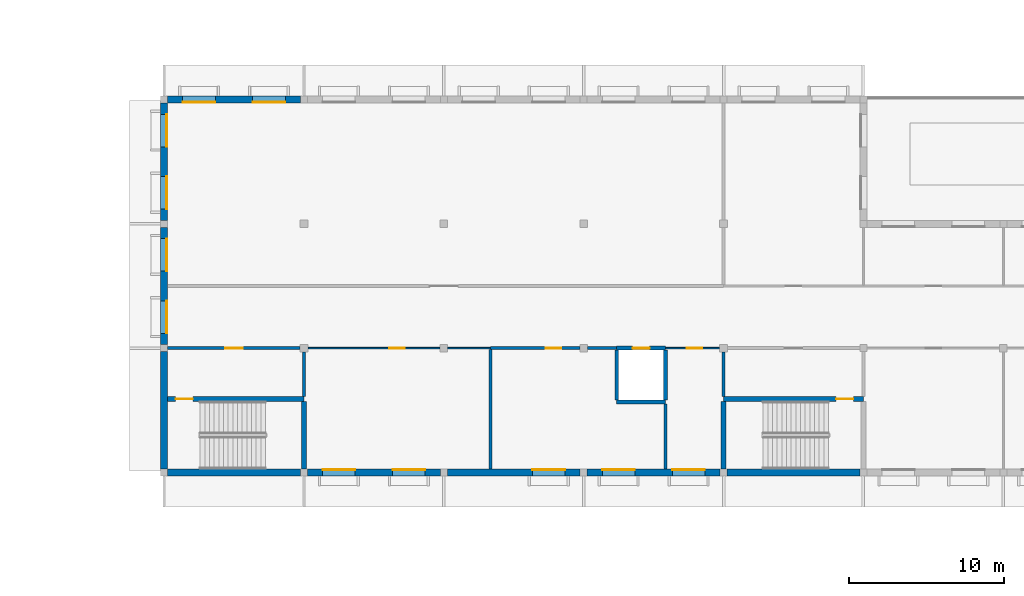
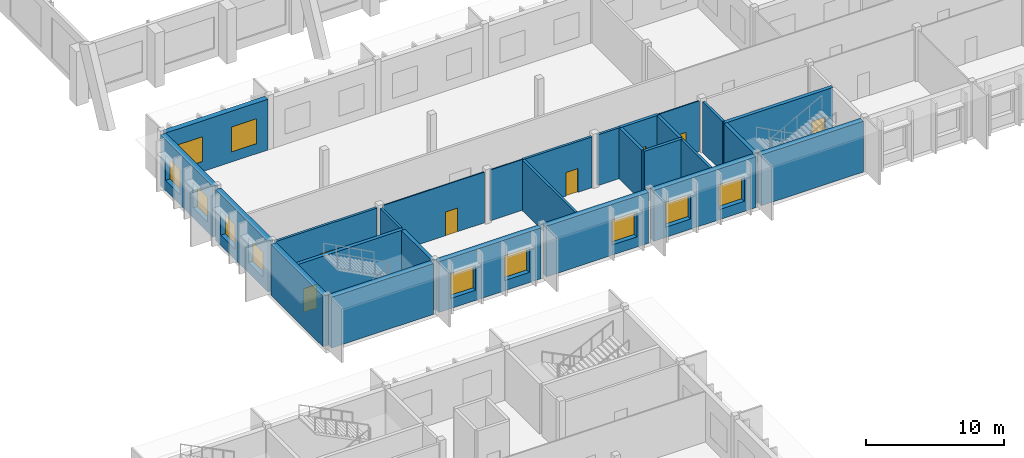
# One storey, part 126 of 182: 27 walls, 11 windows, 7 doors, 18 openings.
"""IFC4 building model written with IfcOpenShell, lengths in metres."""

import ifcopenshell
import ifcopenshell.guid

model = None  # the IFC model being written
_history = None  # IfcOwnerHistory: only IFC2X3 demands one
_inside = {}  # id of a spatial element -> (the spatial element, [elements in it])
_under = {}  # id of a project, library or spatial element -> (it, [spatial elements below it])
_declared = {}  # id of a project -> (the project, [libraries it declares])
_typed = {}  # id of a type object -> (the type object, [elements of that type])
_made_of = {}  # id of a material, layer set ... -> (it, [elements and type objects made of it])


def new_model(schema):
    """Start an empty IFC model of exactly this schema.

    Asked for "IFC4X3", IfcOpenShell would pick the latest addendum, in which some entities
    have other attributes; the version numbers below select the first issue.
    IFC2X3 requires an IfcOwnerHistory on every rooted entity: one is made here for all.
    """
    global model, _history
    if schema == "IFC4X3":
        model = ifcopenshell.file(schema_version=(4, 3, 0, 0))
    else:
        model = ifcopenshell.file(schema=schema)
    _inside.clear()
    _under.clear()
    _declared.clear()
    _typed.clear()
    _made_of.clear()
    _history = None
    if model.schema == "IFC2X3":
        org = make("IfcOrganization", Name="unknown")
        user = make(
            "IfcPersonAndOrganization",
            ThePerson=make("IfcPerson", FamilyName="unknown"),
            TheOrganization=org,
        )
        app = make(
            "IfcApplication",
            ApplicationDeveloper=org,
            Version="unknown",
            ApplicationFullName="unknown",
            ApplicationIdentifier="unknown",
        )
        _history = make(
            "IfcOwnerHistory",
            OwningUser=user,
            OwningApplication=app,
            ChangeAction="ADDED",
            CreationDate=0,
        )
    return model


def make(cls, **values):
    """One entity of the class cls with the attributes given. An attribute that is None is left unset."""
    return model.create_entity(
        cls, **{name: value for name, value in values.items() if value is not None}
    )


def rooted(cls, **values):
    """An entity with a GlobalId (a new one), such as an element, a storey or a relation."""
    return make(cls, GlobalId=ifcopenshell.guid.new(), OwnerHistory=_history, **values)


def si_unit(unit_type, name, prefix=None):
    """IfcSIUnit, for example si_unit("LENGTHUNIT", "METRE", prefix="MILLI")."""
    return make("IfcSIUnit", UnitType=unit_type, Prefix=prefix, Name=name)


def assignment(units):
    """IfcUnitAssignment: the units of a project."""
    return None if units is None else make("IfcUnitAssignment", Units=units)


def point(xyz):
    """IfcCartesianPoint."""
    return None if xyz is None else make("IfcCartesianPoint", Coordinates=xyz)


def direction(xyz):
    """IfcDirection."""
    return None if xyz is None else make("IfcDirection", DirectionRatios=xyz)


def frame(location, z_axis=None, x_axis=None):
    """IfcAxis2Placement3D, a coordinate frame: its origin and axes. An axis left out is left unset."""
    return make(
        "IfcAxis2Placement3D",
        Location=point(location),
        Axis=direction(z_axis),
        RefDirection=direction(x_axis),
    )


def frame_2d(location, x_axis=None):
    """IfcAxis2Placement2D, a coordinate frame in the plane: its origin and x axis."""
    return make(
        "IfcAxis2Placement2D", Location=point(location), RefDirection=direction(x_axis)
    )


def origin():
    """The frame at (0, 0, 0) with its axes left unset."""
    return frame((0.0, 0.0, 0.0))


def place(relative_to, where):
    """IfcLocalPlacement: puts the frame where relative to a parent placement (None: the world)."""
    return make(
        "IfcLocalPlacement", PlacementRelTo=relative_to, RelativePlacement=where
    )


def context(
    kind, dimensions, precision=None, world=None, true_north=None, identifier=None
):
    """IfcGeometricRepresentationContext, for example the 3D "Model" context."""
    return make(
        "IfcGeometricRepresentationContext",
        ContextIdentifier=identifier,
        ContextType=kind,
        CoordinateSpaceDimension=dimensions,
        Precision=precision,
        WorldCoordinateSystem=world,
        TrueNorth=true_north,
    )


def subcontext(parent, identifier, kind, view, scale=None):
    """IfcGeometricRepresentationSubContext, for example "Body" below "Model"."""
    return make(
        "IfcGeometricRepresentationSubContext",
        ContextIdentifier=identifier,
        ContextType=kind,
        ParentContext=parent,
        TargetScale=scale,
        TargetView=view,
    )


def project(units=None, contexts=None):
    """IfcProject with its units and contexts."""
    return rooted(
        "IfcProject",
        Name="project",
        RepresentationContexts=contexts,
        UnitsInContext=assignment(units),
    )


def spatial(cls, under=None, at=None, **own):
    """A site, building, storey or space (cls), placed at a placement, below another one or the project."""
    s = rooted(cls, ObjectPlacement=at, **own)
    if under is not None:
        _under.setdefault(under.id(), (under, []))[1].append(s)
    return s


def profile(cls, at=None, kind="AREA", **sizes):
    """A parametric profile (cls). Its sizes go by their IFC names, for example OverallWidth=200.0."""
    return make(cls, ProfileType=kind, Position=at, **sizes)


def rectangle(**sizes):
    """IfcRectangleProfileDef."""
    return profile("IfcRectangleProfileDef", **sizes)


def extrude(swept, where, along, depth):
    """IfcExtrudedAreaSolid: the profile swept, set in the frame where, extruded along a direction by depth."""
    return make(
        "IfcExtrudedAreaSolid",
        SweptArea=swept,
        Position=where,
        ExtrudedDirection=direction(along),
        Depth=depth,
    )


def shape(context_of_items, identifier, shape_type, items):
    """IfcShapeRepresentation: the items that make up one representation, for example the "Body"."""
    return make(
        "IfcShapeRepresentation",
        ContextOfItems=context_of_items,
        RepresentationIdentifier=identifier,
        RepresentationType=shape_type,
        Items=items,
    )


def material(Name=None, Category=None):
    """IfcMaterial."""
    return make("IfcMaterial", Name=Name, Category=Category)


def layer(
    of_material, thickness, ventilated=None, Name=None, Category=None, Priority=None
):
    """IfcMaterialLayer: one layer of a wall or slab, of a material (None: an air gap)."""
    return make(
        "IfcMaterialLayer",
        Material=of_material,
        LayerThickness=thickness,
        IsVentilated=ventilated,
        Name=Name,
        Category=Category,
        Priority=Priority,
    )


def layer_set(layers, Name=None):
    """IfcMaterialLayerSet."""
    return make("IfcMaterialLayerSet", MaterialLayers=layers, LayerSetName=Name)


def made_of(thing, what):
    """Note that an element or type object is made of a material, layer set ...; save() writes the relation."""
    if what is not None:
        _made_of.setdefault(what.id(), (what, []))[1].append(thing)
    return thing


def type_object(cls, material=None, **own):
    """A type object (cls), such as IfcWallType, which elements share."""
    return made_of(rooted(cls, **own), material)


def element(
    cls,
    number,
    at=None,
    inside=None,
    cuts=None,
    type_object=None,
    material=None,
    context=None,
    identifier="Body",
    shape_type=None,
    held_by="IfcProductDefinitionShape",
    body=None,
    shapes=None,
    **own,
):
    """One element of the class cls, such as IfcWall. Its Tag is "e" and its number.

    at: its placement. inside: the storey or other place that contains it. cuts: it is an
    opening in that element (IfcRelVoidsElement). A single representation is given by context,
    identifier, shape_type and body (its items); several are given by shapes. held_by: the class
    of the entity that holds the representations. save() writes the other relations.
    """
    e = rooted(cls, Tag="e%d" % number, ObjectPlacement=at, **own)
    if body is not None:
        shapes = [shape(context, identifier, shape_type, body)]
    if shapes is not None:
        e.Representation = make(held_by, Representations=shapes)
    if inside is not None:
        _inside.setdefault(inside.id(), (inside, []))[1].append(e)
    if cuts is not None:
        rooted(
            "IfcRelVoidsElement", RelatingBuildingElement=cuts, RelatedOpeningElement=e
        )
    if type_object is not None:
        _typed.setdefault(type_object.id(), (type_object, []))[1].append(e)
    return made_of(e, material)


def fill(opening, filler):
    """IfcRelFillsElement: the door or window that sits in an opening."""
    return rooted(
        "IfcRelFillsElement",
        RelatingOpeningElement=opening,
        RelatedBuildingElement=filler,
    )


def aggregate(whole, parts):
    """IfcRelAggregates: a whole, such as a stair, and the parts it consists of."""
    return rooted("IfcRelAggregates", RelatingObject=whole, RelatedObjects=parts)


def save(model, path):
    """Write the relations noted so far, then the file.

    IfcRelAggregates (storeys below a building ...), IfcRelContainedInSpatialStructure (elements
    in a storey), IfcRelDefinesByType, IfcRelAssociatesMaterial and IfcRelDeclares: one each for
    every whole, place, type object, material and project.
    """
    for whole, parts in _under.values():
        aggregate(whole, parts)
    for where, things in _inside.values():
        rooted(
            "IfcRelContainedInSpatialStructure",
            RelatedElements=things,
            RelatingStructure=where,
        )
    for kind, things in _typed.values():
        rooted("IfcRelDefinesByType", RelatedObjects=things, RelatingType=kind)
    for what, things in _made_of.values():
        rooted("IfcRelAssociatesMaterial", RelatedObjects=things, RelatingMaterial=what)
    for by, libraries in _declared.values():
        rooted("IfcRelDeclares", RelatingContext=by, RelatedDefinitions=libraries)
    model.write(path)


model = new_model("IFC4")

# Units and contexts
model_context = context("Model", 3, precision=1e-05, world=origin(), true_north=direction((0.0, 1.0)))
body_context = subcontext(model_context, "Body", "Model", "MODEL_VIEW")
ifc_project = project(units=[si_unit("LENGTHUNIT", "METRE"), si_unit("AREAUNIT", "SQUARE_METRE"), si_unit("VOLUMEUNIT", "CUBIC_METRE"), si_unit("PLANEANGLEUNIT", "RADIAN"), si_unit("MASSUNIT", "GRAM", prefix="KILO")], contexts=[model_context])

# Site, building, storey
site_placement = place(None, origin())
site = spatial("IfcSite", under=ifc_project, at=site_placement, CompositionType="ELEMENT")
building_placement = place(site_placement, origin())
building = spatial("IfcBuilding", under=site, at=building_placement, Name="Okhra Congress Centre", CompositionType="ELEMENT")
storey_placement = place(building_placement, frame((0.0, 0.0, 7.199951171875)))
storey = spatial("IfcBuildingStorey", under=building, at=storey_placement, Name="L01", CompositionType="ELEMENT", Elevation=7.199951171875)

# Wall, opening, door
ifc_material_1 = material(Name="Masonry blockwork (aerated concrete D500)", Category="masonry")
ifc_layer_1 = layer(ifc_material_1, 0.199951171875)
ifc_layer_set_1 = layer_set([ifc_layer_1], Name="Masonry block wall 200 EI 45")
wall_type_1 = type_object("IfcWallType", Name="Masonry block wall 200 EI 45", PredefinedType="SOLIDWALL", material=ifc_layer_set_1)
wall_1_placement = place(storey_placement, frame((28.22509765625, 104.0, 0.0), z_axis=(0.0, 0.0, 1.0), x_axis=(1.0, 0.0, 0.0)))
wall_1 = element("IfcWall", 1, at=wall_1_placement, inside=storey, type_object=wall_type_1, Name="SV.WALL.L01.15", PredefinedType="SOLIDWALL", context=body_context, shape_type="SweptSolid", body=[
    extrude(rectangle(XDim=8.52490234375, YDim=0.199951171875, at=frame_2d((4.262451171875, 0.0))), origin(), (0.0, 0.0, 1.0), 4.5),
])
opening_1_placement = place(wall_1_placement, frame((3.72509765625, 0.0, 0.0)))
opening_1 = element("IfcOpeningElement", 2, at=opening_1_placement, cuts=wall_1, Name="Opening L01-032", PredefinedType="OPENING", context=body_context, shape_type="SweptSolid", body=[
    extrude(rectangle(XDim=1.10009765625, YDim=2.10009765625, at=frame_2d((0.550048828125, 1.050048828125))), frame((0.0, 0.10986328125, 0.0), z_axis=(0.0, -1.0, 0.0), x_axis=(1.0, 0.0, 0.0)), (0.0, 0.0, 1.0), 0.219970703125),
])
ifc_material_2 = material(Name="Steel fire door leaf in steel frame, intumescent seals", Category="steel")
door_type_1 = type_object("IfcDoorType", Name="Steel fire door 1100x2100 EI 30", OperationType="NOTDEFINED", PredefinedType="DOOR", material=ifc_material_2)
door_1_placement = place(opening_1_placement, frame((1.10009765625, 0.0, 0.0), z_axis=(0.0, 0.0, 1.0), x_axis=(-1.0, 0.0, 0.0)))
door_1 = element("IfcDoor", 3, at=door_1_placement, inside=storey, type_object=door_type_1, Name="Door L01-032", OperationType="SINGLE_SWING_RIGHT", OverallHeight=2.10009765625, OverallWidth=1.10009765625, PredefinedType="DOOR", context=body_context, shape_type="SweptSolid", body=[
    extrude(rectangle(XDim=1.10009765625, YDim=2.10009765625, at=frame_2d((0.550048828125, 1.050048828125))), frame((0.0, 0.02490234375, 0.0), z_axis=(0.0, -1.0, 0.0), x_axis=(1.0, 0.0, 0.0)), (0.0, 0.0, 1.0), 0.050048828125),
])
fill(opening_1, door_1)

wall_2_placement = place(storey_placement, frame((49.0, 104.0, 0.0), z_axis=(0.0, 0.0, 1.0), x_axis=(1.0, 0.0, 0.0)))
wall_2 = element("IfcWall", 4, at=wall_2_placement, inside=storey, type_object=wall_type_1, Name="SV.WALL.L01.18", PredefinedType="SOLIDWALL", context=body_context, shape_type="SweptSolid", body=[
    extrude(rectangle(XDim=5.75, YDim=0.199951171875, at=frame_2d((2.875, 0.0))), origin(), (0.0, 0.0, 1.0), 4.5),
])
opening_2_placement = place(wall_2_placement, frame((3.5625, 0.0, 0.0)))
opening_2 = element("IfcOpeningElement", 5, at=opening_2_placement, cuts=wall_2, Name="Opening L01-039", PredefinedType="OPENING", context=body_context, shape_type="SweptSolid", body=[
    extrude(rectangle(XDim=1.0, YDim=2.10009765625, at=frame_2d((0.5, 1.050048828125))), frame((0.0, 0.10986328125, 0.0), z_axis=(0.0, -1.0, 0.0), x_axis=(1.0, 0.0, 0.0)), (0.0, 0.0, 1.0), 0.219970703125),
])
door_type_2 = type_object("IfcDoorType", Name="Steel fire door 1000x2100 EI 30", OperationType="NOTDEFINED", PredefinedType="DOOR", material=ifc_material_2)
door_2_placement = place(opening_2_placement, origin())
door_2 = element("IfcDoor", 6, at=door_2_placement, inside=storey, type_object=door_type_2, Name="Door L01-039", OperationType="SINGLE_SWING_RIGHT", OverallHeight=2.10009765625, OverallWidth=1.0, PredefinedType="DOOR", context=body_context, shape_type="SweptSolid", body=[
    extrude(rectangle(XDim=1.0, YDim=2.10009765625, at=frame_2d((0.5, 1.050048828125))), frame((0.0, 0.02490234375, 0.0), z_axis=(0.0, -1.0, 0.0), x_axis=(1.0, 0.0, 0.0)), (0.0, 0.0, 1.0), 0.050048828125),
])
fill(opening_2, door_2)

# Walls
wall_3_placement = place(storey_placement, frame((55.25, 104.0, 0.0), z_axis=(0.0, 0.0, 1.0), x_axis=(1.0, 0.0, 0.0)))
element("IfcWall", 7, at=wall_3_placement, inside=storey, type_object=wall_type_1, Name="SV.WALL.L01.19", PredefinedType="SOLIDWALL", context=body_context, shape_type="SweptSolid", body=[
    extrude(rectangle(XDim=1.875, YDim=0.199951171875, at=frame_2d((0.9375, 0.0))), origin(), (0.0, 0.0, 1.0), 4.5),
])
wall_4_placement = place(storey_placement, frame((37.0, 100.875, 0.0), z_axis=(0.0, 0.0, 1.0), x_axis=(0.0, 1.0, 0.0)))
element("IfcWall", 8, at=wall_4_placement, inside=storey, type_object=wall_type_1, Name="SV.WALL.L01.44", PredefinedType="SOLIDWALL", context=body_context, shape_type="SweptSolid", body=[
    extrude(rectangle(XDim=2.875, YDim=0.199951171875, at=frame_2d((1.4375, 0.0))), origin(), (0.0, 0.0, 1.0), 4.5),
])
wall_5_placement = place(storey_placement, frame((49.0, 96.22509765625, 0.0), z_axis=(0.0, 0.0, 1.0), x_axis=(0.0, 1.0, 0.0)))
element("IfcWall", 9, at=wall_5_placement, inside=storey, type_object=wall_type_1, Name="SV.WALL.L01.45", PredefinedType="SOLIDWALL", context=body_context, shape_type="SweptSolid", body=[
    extrude(rectangle(XDim=7.6748046875, YDim=0.199951171875, at=frame_2d((3.83740234375, 0.0))), origin(), (0.0, 0.0, 1.0), 4.5),
])
wall_6_placement = place(storey_placement, frame((60.27490234375, 96.22509765625, 0.0), z_axis=(0.0, 0.0, 1.0), x_axis=(0.0, 1.0, 0.0)))
element("IfcWall", 10, at=wall_6_placement, inside=storey, type_object=wall_type_1, Name="SV.WALL.L01.47", PredefinedType="SOLIDWALL", context=body_context, shape_type="SweptSolid", body=[
    extrude(rectangle(XDim=4.1748046875, YDim=0.199951171875, at=frame_2d((2.08740234375, 0.0))), origin(), (0.0, 0.0, 1.0), 4.5),
])
wall_7_placement = place(storey_placement, frame((64.0, 100.875, 0.0), z_axis=(0.0, 0.0, 1.0), x_axis=(0.0, 1.0, 0.0)))
element("IfcWall", 11, at=wall_7_placement, inside=storey, type_object=wall_type_1, Name="SV.WALL.L01.50", PredefinedType="SOLIDWALL", context=body_context, shape_type="SweptSolid", body=[
    extrude(rectangle(XDim=2.875, YDim=0.199951171875, at=frame_2d((1.4375, 0.0))), origin(), (0.0, 0.0, 1.0), 4.5),
])

# Wall, opening, door
ifc_material_3 = material(Name="Gypsum board on steel studs", Category="steel")
ifc_layer_2 = layer(ifc_material_3, 0.10009765625)
ifc_layer_set_2 = layer_set([ifc_layer_2], Name="Partition 100 EI 15")
wall_type_2 = type_object("IfcWallType", Name="Partition 100 EI 15", PredefinedType="PARTITIONING", material=ifc_layer_set_2)
wall_8_placement = place(storey_placement, frame((37.25, 104.0, 0.0), z_axis=(0.0, 0.0, 1.0), x_axis=(1.0, 0.0, 0.0)))
wall_8 = element("IfcWall", 12, at=wall_8_placement, inside=storey, type_object=wall_type_2, Name="SV.WALL.L01.16", PredefinedType="PARTITIONING", context=body_context, shape_type="SweptSolid", body=[
    extrude(rectangle(XDim=8.5, YDim=0.10009765625, at=frame_2d((4.25, 0.0))), origin(), (0.0, 0.0, 1.0), 4.5),
])
opening_3_placement = place(wall_8_placement, frame((5.25, 0.0, 0.0)))
opening_3 = element("IfcOpeningElement", 13, at=opening_3_placement, cuts=wall_8, Name="Opening L01-038", PredefinedType="OPENING", context=body_context, shape_type="SweptSolid", body=[
    extrude(rectangle(XDim=1.0, YDim=2.10009765625, at=frame_2d((0.5, 1.050048828125))), frame((0.0, 0.06005859375, 0.0), z_axis=(0.0, -1.0, 0.0), x_axis=(1.0, 0.0, 0.0)), (0.0, 0.0, 1.0), 0.1201171875),
])
ifc_material_4 = material(Name="Timber door leaf in steel frame", Category="steel")
door_type_3 = type_object("IfcDoorType", Name="Single swing door 1000x2100", OperationType="NOTDEFINED", PredefinedType="DOOR", material=ifc_material_4)
door_3_placement = place(opening_3_placement, origin())
door_3 = element("IfcDoor", 14, at=door_3_placement, inside=storey, type_object=door_type_3, Name="Door L01-038", OperationType="SINGLE_SWING_LEFT", OverallHeight=2.10009765625, OverallWidth=1.0, PredefinedType="DOOR", context=body_context, shape_type="SweptSolid", body=[
    extrude(rectangle(XDim=1.0, YDim=2.10009765625, at=frame_2d((0.5, 1.050048828125))), frame((0.0, 0.02490234375, 0.0), z_axis=(0.0, -1.0, 0.0), x_axis=(1.0, 0.0, 0.0)), (0.0, 0.0, 1.0), 0.050048828125),
])
fill(opening_3, door_3)

# Wall
wall_9_placement = place(storey_placement, frame((46.25, 104.0, 0.0), z_axis=(0.0, 0.0, 1.0), x_axis=(1.0, 0.0, 0.0)))
element("IfcWall", 15, at=wall_9_placement, inside=storey, type_object=wall_type_2, Name="SV.WALL.L01.17", PredefinedType="PARTITIONING", context=body_context, shape_type="SweptSolid", body=[
    extrude(rectangle(XDim=2.75, YDim=0.10009765625, at=frame_2d((1.375, 0.0))), origin(), (0.0, 0.0, 1.0), 4.5),
])

# Wall, opening, door
wall_10_placement = place(storey_placement, frame((60.27490234375, 104.0, 0.0), z_axis=(0.0, 0.0, 1.0), x_axis=(1.0, 0.0, 0.0)))
wall_10 = element("IfcWall", 16, at=wall_10_placement, inside=storey, type_object=wall_type_2, Name="SV.WALL.L01.21", PredefinedType="PARTITIONING", context=body_context, shape_type="SweptSolid", body=[
    extrude(rectangle(XDim=3.47509765625, YDim=0.10009765625, at=frame_2d((1.737548828125, 0.0))), origin(), (0.0, 0.0, 1.0), 4.5),
])
opening_4_placement = place(wall_10_placement, frame((1.362548828125, 0.0, 0.0)))
opening_4 = element("IfcOpeningElement", 17, at=opening_4_placement, cuts=wall_10, Name="Opening L01-040", PredefinedType="OPENING", context=body_context, shape_type="SweptSolid", body=[
    extrude(rectangle(XDim=1.0, YDim=2.10009765625, at=frame_2d((0.5, 1.050048828125))), frame((0.0, 0.06005859375, 0.0), z_axis=(0.0, -1.0, 0.0), x_axis=(1.0, 0.0, 0.0)), (0.0, 0.0, 1.0), 0.1201171875),
])
door_4_placement = place(opening_4_placement, origin())
door_4 = element("IfcDoor", 18, at=door_4_placement, inside=storey, type_object=door_type_3, Name="Door L01-040", OperationType="SINGLE_SWING_LEFT", OverallHeight=2.10009765625, OverallWidth=1.0, PredefinedType="DOOR", context=body_context, shape_type="SweptSolid", body=[
    extrude(rectangle(XDim=1.0, YDim=2.10009765625, at=frame_2d((0.5, 1.050048828125))), frame((0.0, 0.02490234375, 0.0), z_axis=(0.0, -1.0, 0.0), x_axis=(1.0, 0.0, 0.0)), (0.0, 0.0, 1.0), 0.050048828125),
])
fill(opening_4, door_4)

ifc_material_5 = material(Name="Concrete C35/45", Category="concrete")
ifc_layer_3 = layer(ifc_material_5, 0.300048828125)
ifc_layer_set_3 = layer_set([ifc_layer_3], Name="RC core wall 300 REI 120 C35/45")
wall_type_3 = type_object("IfcWallType", Name="RC core wall 300 REI 120 C35/45", PredefinedType="SHEAR", material=ifc_layer_set_3)
wall_11_placement = place(storey_placement, frame((28.22509765625, 100.72509765625, 0.0), z_axis=(0.0, 0.0, 1.0), x_axis=(1.0, 0.0, 0.0)))
wall_11 = element("IfcWall", 19, at=wall_11_placement, inside=storey, type_object=wall_type_3, Name="SV.WALL.L01.12", PredefinedType="SHEAR", context=body_context, shape_type="SweptSolid", body=[
    extrude(rectangle(XDim=8.77490234375, YDim=0.300048828125, at=frame_2d((4.387451171875, 0.0))), origin(), (0.0, 0.0, 1.0), 4.5),
])
opening_5_placement = place(wall_11_placement, frame((0.52490234375, 0.0, 0.0)))
opening_5 = element("IfcOpeningElement", 20, at=opening_5_placement, cuts=wall_11, Name="Opening L01-033", PredefinedType="OPENING", context=body_context, shape_type="SweptSolid", body=[
    extrude(rectangle(XDim=1.10009765625, YDim=2.10009765625, at=frame_2d((0.550048828125, 1.050048828125))), frame((0.0, 0.159912109375, 0.0), z_axis=(0.0, -1.0, 0.0), x_axis=(1.0, 0.0, 0.0)), (0.0, 0.0, 1.0), 0.320068359375),
])
door_5_placement = place(opening_5_placement, frame((1.10009765625, 0.0, 0.0), z_axis=(0.0, 0.0, 1.0), x_axis=(-1.0, 0.0, 0.0)))
door_5 = element("IfcDoor", 21, at=door_5_placement, inside=storey, type_object=door_type_1, Name="Door L01-033", OperationType="SINGLE_SWING_LEFT", OverallHeight=2.10009765625, OverallWidth=1.10009765625, PredefinedType="DOOR", context=body_context, shape_type="SweptSolid", body=[
    extrude(rectangle(XDim=1.10009765625, YDim=2.10009765625, at=frame_2d((0.550048828125, 1.050048828125))), frame((0.0, 0.02490234375, 0.0), z_axis=(0.0, -1.0, 0.0), x_axis=(1.0, 0.0, 0.0)), (0.0, 0.0, 1.0), 0.050048828125),
])
fill(opening_5, door_5)

wall_12_placement = place(storey_placement, frame((64.0, 100.72509765625, 0.0), z_axis=(0.0, 0.0, 1.0), x_axis=(1.0, 0.0, 0.0)))
wall_12 = element("IfcWall", 22, at=wall_12_placement, inside=storey, type_object=wall_type_3, Name="SV.WALL.L01.13", PredefinedType="SHEAR", context=body_context, shape_type="SweptSolid", body=[
    extrude(rectangle(XDim=9.0, YDim=0.300048828125, at=frame_2d((4.5, 0.0))), origin(), (0.0, 0.0, 1.0), 4.5),
])
opening_6_placement = place(wall_12_placement, frame((7.25, 0.0, 0.0)))
opening_6 = element("IfcOpeningElement", 23, at=opening_6_placement, cuts=wall_12, Name="Opening L01-035", PredefinedType="OPENING", context=body_context, shape_type="SweptSolid", body=[
    extrude(rectangle(XDim=1.10009765625, YDim=2.10009765625, at=frame_2d((0.550048828125, 1.050048828125))), frame((0.0, 0.159912109375, 0.0), z_axis=(0.0, -1.0, 0.0), x_axis=(1.0, 0.0, 0.0)), (0.0, 0.0, 1.0), 0.320068359375),
])
door_6_placement = place(opening_6_placement, frame((1.10009765625, 0.0, 0.0), z_axis=(0.0, 0.0, 1.0), x_axis=(-1.0, 0.0, 0.0)))
door_6 = element("IfcDoor", 24, at=door_6_placement, inside=storey, type_object=door_type_1, Name="Door L01-035", OperationType="SINGLE_SWING_LEFT", OverallHeight=2.10009765625, OverallWidth=1.10009765625, PredefinedType="DOOR", context=body_context, shape_type="SweptSolid", body=[
    extrude(rectangle(XDim=1.10009765625, YDim=2.10009765625, at=frame_2d((0.550048828125, 1.050048828125))), frame((0.0, 0.02490234375, 0.0), z_axis=(0.0, -1.0, 0.0), x_axis=(1.0, 0.0, 0.0)), (0.0, 0.0, 1.0), 0.050048828125),
])
fill(opening_6, door_6)

# Walls
for number, where, z_axis, x_axis, name in (
    (25, (37.0, 96.22509765625, 0.0), (0.0, 0.0, 1.0), (0.0, 1.0, 0.0), "SV.WALL.L01.43"),
    (26, (64.0, 96.22509765625, 0.0), (0.0, 0.0, 1.0), (0.0, 1.0, 0.0), "SV.WALL.L01.49"),
):
    element("IfcWall", number, at=place(storey_placement, frame(where, z_axis=z_axis, x_axis=x_axis)), inside=storey, type_object=wall_type_3, Name=name, PredefinedType="SHEAR", context=body_context, shape_type="SweptSolid", body=[
        extrude(rectangle(XDim=4.349853515625, YDim=0.300048828125, at=frame_2d((2.1748046875, 0.0))), origin(), (0.0, 0.0, 1.0), 4.5),
    ])
ifc_material_6 = material(Name="Concrete C30/37", Category="concrete")
ifc_layer_4 = layer(ifc_material_6, 0.449951171875)
ifc_layer_set_4 = layer_set([ifc_layer_4], Name="RC facade wall 450 REI 120 C30/37")
wall_type_4 = type_object("IfcWallType", Name="RC facade wall 450 REI 120 C30/37", PredefinedType="SOLIDWALL", material=ifc_layer_set_4)
for number, where, z_axis, x_axis, name in (
    (27, (28.22509765625, 96.0, 0.0), (0.0, 0.0, 1.0), (1.0, 0.0, 0.0), "SV.WALL.L01.1"),
    (28, (64.22509765625, 96.0, 0.0), (0.0, 0.0, 1.0), (1.0, 0.0, 0.0), "SV.WALL.L01.5"),
):
    element("IfcWall", number, at=place(storey_placement, frame(where, z_axis=z_axis, x_axis=x_axis)), inside=storey, type_object=wall_type_4, Name=name, PredefinedType="SOLIDWALL", context=body_context, shape_type="SweptSolid", body=[
        extrude(rectangle(XDim=8.5498046875, YDim=0.449951171875, at=frame_2d((4.27490234375, 0.0))), origin(), (0.0, 0.0, 1.0), 4.5),
    ])
wall_13_placement = place(storey_placement, frame((28.0, 103.77490234375, 0.0), z_axis=(0.0, 0.0, 1.0), x_axis=(0.0, -1.0, 0.0)))
element("IfcWall", 29, at=wall_13_placement, inside=storey, type_object=wall_type_4, Name="SV.WALL.L01.40", PredefinedType="SOLIDWALL", context=body_context, shape_type="SweptSolid", body=[
    extrude(rectangle(XDim=7.5498046875, YDim=0.449951171875, at=frame_2d((3.77490234375, 0.0))), origin(), (0.0, 0.0, 1.0), 4.5),
])
ifc_layer_5 = layer(ifc_material_6, 0.25)
ifc_layer_set_5 = layer_set([ifc_layer_5], Name="RC wall 250 REI 120 C30/37")
wall_type_5 = type_object("IfcWallType", Name="RC wall 250 REI 120 C30/37", PredefinedType="SOLIDWALL", material=ifc_layer_set_5)
wall_14_placement = place(storey_placement, frame((57.125, 100.52490234375, 0.0), z_axis=(0.0, 0.0, 1.0), x_axis=(1.0, 0.0, 0.0)))
element("IfcWall", 30, at=wall_14_placement, inside=storey, type_object=wall_type_5, Name="SV.WALL.L01.11", PredefinedType="SOLIDWALL", context=body_context, shape_type="SweptSolid", body=[
    extrude(rectangle(XDim=3.14990234375, YDim=0.25, at=frame_2d((1.574951171875, 0.0))), origin(), (0.0, 0.0, 1.0), 4.5),
])

# Wall, opening, door
wall_15_placement = place(storey_placement, frame((57.125, 104.0, 0.0), z_axis=(0.0, 0.0, 1.0), x_axis=(1.0, 0.0, 0.0)))
wall_15 = element("IfcWall", 31, at=wall_15_placement, inside=storey, type_object=wall_type_5, Name="SV.WALL.L01.20", PredefinedType="SOLIDWALL", context=body_context, shape_type="SweptSolid", body=[
    extrude(rectangle(XDim=3.14990234375, YDim=0.25, at=frame_2d((1.574951171875, 0.0))), origin(), (0.0, 0.0, 1.0), 4.5),
])
opening_7_placement = place(wall_15_placement, frame((1.02490234375, 0.0, 0.0)))
opening_7 = element("IfcOpeningElement", 32, at=opening_7_placement, cuts=wall_15, Name="Opening L01-050", PredefinedType="OPENING", context=body_context, shape_type="SweptSolid", body=[
    extrude(rectangle(XDim=1.10009765625, YDim=2.10009765625, at=frame_2d((0.550048828125, 1.050048828125))), frame((0.0, 0.135009765625, 0.0), z_axis=(0.0, -1.0, 0.0), x_axis=(1.0, 0.0, 0.0)), (0.0, 0.0, 1.0), 0.27001953125),
])
ifc_material_7 = material(Name="Stainless steel sliding landing door leaves", Category="steel")
door_type_4 = type_object("IfcDoorType", Name="Lift landing door 1100x2100 EI 30", OperationType="DOUBLE_DOOR_SLIDING", PredefinedType="DOOR", material=ifc_material_7)
door_7_placement = place(opening_7_placement, origin())
door_7 = element("IfcDoor", 33, at=door_7_placement, inside=storey, type_object=door_type_4, Name="Door L01-050", OperationType="DOUBLE_DOOR_SLIDING", OverallHeight=2.10009765625, OverallWidth=1.10009765625, PredefinedType="DOOR", context=body_context, shape_type="SweptSolid", body=[
    extrude(rectangle(XDim=1.10009765625, YDim=2.10009765625, at=frame_2d((0.550048828125, 1.050048828125))), frame((0.0, 0.02490234375, 0.0), z_axis=(0.0, -1.0, 0.0), x_axis=(1.0, 0.0, 0.0)), (0.0, 0.0, 1.0), 0.050048828125),
])
fill(opening_7, door_7)

# Walls
for number, where, z_axis, x_axis, name in (
    (34, (57.125, 100.64990234375, 0.0), (0.0, 0.0, 1.0), (0.0, 1.0, 0.0), "SV.WALL.L01.46"),
    (35, (60.27490234375, 100.64990234375, 0.0), (0.0, 0.0, 1.0), (0.0, 1.0, 0.0), "SV.WALL.L01.48"),
):
    element("IfcWall", number, at=place(storey_placement, frame(where, z_axis=z_axis, x_axis=x_axis)), inside=storey, type_object=wall_type_5, Name=name, PredefinedType="SOLIDWALL", context=body_context, shape_type="SweptSolid", body=[
        extrude(rectangle(XDim=3.22509765625, YDim=0.25, at=frame_2d((1.612548828125, 0.0))), origin(), (0.0, 0.0, 1.0), 4.5),
    ])

# Wall, openings, windows
ifc_material_8 = material(Name="Render on mineral wool insulation over masonry backing", Category="masonry")
ifc_layer_6 = layer(ifc_material_8, 0.449951171875)
ifc_layer_set_6 = layer_set([ifc_layer_6], Name="Rendered insulated wall 450")
wall_type_6 = type_object("IfcWallType", Name="Rendered insulated wall 450", PredefinedType="SOLIDWALL", material=ifc_layer_set_6)
wall_16_placement = place(storey_placement, frame((37.22509765625, 96.0, 0.0), z_axis=(0.0, 0.0, 1.0), x_axis=(1.0, 0.0, 0.0)))
wall_16 = element("IfcWall", 36, at=wall_16_placement, inside=storey, type_object=wall_type_6, Name="SV.WALL.L01.2", PredefinedType="SOLIDWALL", context=body_context, shape_type="SweptSolid", body=[
    extrude(rectangle(XDim=8.5498046875, YDim=0.449951171875, at=frame_2d((4.27490234375, 0.0))), origin(), (0.0, 0.0, 1.0), 4.5),
])
opening_8_placement = place(wall_16_placement, frame((0.97509765625, 0.0, 0.89990234375)))
opening_8 = element("IfcOpeningElement", 37, at=opening_8_placement, cuts=wall_16, Name="Opening WN15", PredefinedType="OPENING", context=body_context, shape_type="SweptSolid", body=[
    extrude(rectangle(XDim=2.10009765625, YDim=2.199951171875, at=frame_2d((1.050048828125, 1.10009765625))), frame((0.0, 0.23486328125, 0.0), z_axis=(0.0, -1.0, 0.0), x_axis=(1.0, 0.0, 0.0)), (0.0, 0.0, 1.0), 0.469970703125),
])
opening_9_placement = place(wall_16_placement, frame((5.47509765625, 0.0, 0.89990234375)))
opening_9 = element("IfcOpeningElement", 38, at=opening_9_placement, cuts=wall_16, Name="Opening WN15", PredefinedType="OPENING", context=body_context, shape_type="SweptSolid", body=[
    extrude(rectangle(XDim=2.10009765625, YDim=2.199951171875, at=frame_2d((1.050048828125, 1.10009765625))), frame((0.0, 0.23486328125, 0.0), z_axis=(0.0, -1.0, 0.0), x_axis=(1.0, 0.0, 0.0)), (0.0, 0.0, 1.0), 0.469970703125),
])
ifc_material_9 = material(Name="Thermally broken aluminium frame, triple glazing", Category="aluminium")
window_type = type_object("IfcWindowType", Name="Tilt-and-turn window 2100x2200", PartitioningType="SINGLE_PANEL", PredefinedType="WINDOW", material=ifc_material_9)
window_1_placement = place(opening_8_placement, origin())
window_1 = element("IfcWindow", 39, at=window_1_placement, inside=storey, type_object=window_type, Name="SV.WIN.L01.1", OverallHeight=2.199951171875, OverallWidth=2.10009765625, PartitioningType="SINGLE_PANEL", PredefinedType="WINDOW", context=body_context, shape_type="SweptSolid", body=[
    extrude(rectangle(XDim=2.10009765625, YDim=2.199951171875, at=frame_2d((1.050048828125, 1.10009765625))), frame((0.0, 0.215087890625, 0.0), z_axis=(0.0, -1.0, 0.0), x_axis=(1.0, 0.0, 0.0)), (0.0, 0.0, 1.0), 0.06005859375),
])
fill(opening_8, window_1)
window_2_placement = place(opening_9_placement, origin())
window_2 = element("IfcWindow", 40, at=window_2_placement, inside=storey, type_object=window_type, Name="SV.WIN.L01.2", OverallHeight=2.199951171875, OverallWidth=2.10009765625, PartitioningType="SINGLE_PANEL", PredefinedType="WINDOW", context=body_context, shape_type="SweptSolid", body=[
    extrude(rectangle(XDim=2.10009765625, YDim=2.199951171875, at=frame_2d((1.050048828125, 1.10009765625))), frame((0.0, 0.215087890625, 0.0), z_axis=(0.0, -1.0, 0.0), x_axis=(1.0, 0.0, 0.0)), (0.0, 0.0, 1.0), 0.06005859375),
])
fill(opening_9, window_2)

# Wall, opening, window
ifc_layer_7 = layer(ifc_material_8, 0.449951171875)
ifc_layer_set_7 = layer_set([ifc_layer_7], Name="Rendered insulated wall 450 EI 45")
wall_type_7 = type_object("IfcWallType", Name="Rendered insulated wall 450 EI 45", PredefinedType="SOLIDWALL", material=ifc_layer_set_7)
wall_17_placement = place(storey_placement, frame((46.22509765625, 96.0, 0.0), z_axis=(0.0, 0.0, 1.0), x_axis=(1.0, 0.0, 0.0)))
wall_17 = element("IfcWall", 41, at=wall_17_placement, inside=storey, type_object=wall_type_7, Name="SV.WALL.L01.3", PredefinedType="SOLIDWALL", context=body_context, shape_type="SweptSolid", body=[
    extrude(rectangle(XDim=8.5498046875, YDim=0.449951171875, at=frame_2d((4.27490234375, 0.0))), origin(), (0.0, 0.0, 1.0), 4.5),
])
opening_10_placement = place(wall_17_placement, frame((5.47509765625, 0.0, 0.89990234375)))
opening_10 = element("IfcOpeningElement", 42, at=opening_10_placement, cuts=wall_17, Name="Opening WN15", PredefinedType="OPENING", context=body_context, shape_type="SweptSolid", body=[
    extrude(rectangle(XDim=2.10009765625, YDim=2.199951171875, at=frame_2d((1.050048828125, 1.10009765625))), frame((0.0, 0.23486328125, 0.0), z_axis=(0.0, -1.0, 0.0), x_axis=(1.0, 0.0, 0.0)), (0.0, 0.0, 1.0), 0.469970703125),
])
window_3_placement = place(opening_10_placement, origin())
window_3 = element("IfcWindow", 43, at=window_3_placement, inside=storey, type_object=window_type, Name="SV.WIN.L01.3", OverallHeight=2.199951171875, OverallWidth=2.10009765625, PartitioningType="SINGLE_PANEL", PredefinedType="WINDOW", context=body_context, shape_type="SweptSolid", body=[
    extrude(rectangle(XDim=2.10009765625, YDim=2.199951171875, at=frame_2d((1.050048828125, 1.10009765625))), frame((0.0, 0.215087890625, 0.0), z_axis=(0.0, -1.0, 0.0), x_axis=(1.0, 0.0, 0.0)), (0.0, 0.0, 1.0), 0.06005859375),
])
fill(opening_10, window_3)

# Wall, openings, windows
wall_18_placement = place(storey_placement, frame((55.22509765625, 96.0, 0.0), z_axis=(0.0, 0.0, 1.0), x_axis=(1.0, 0.0, 0.0)))
wall_18 = element("IfcWall", 44, at=wall_18_placement, inside=storey, type_object=wall_type_7, Name="SV.WALL.L01.4", PredefinedType="SOLIDWALL", context=body_context, shape_type="SweptSolid", body=[
    extrude(rectangle(XDim=8.5498046875, YDim=0.449951171875, at=frame_2d((4.27490234375, 0.0))), origin(), (0.0, 0.0, 1.0), 4.5),
])
opening_11_placement = place(wall_18_placement, frame((0.97509765625, 0.0, 0.89990234375)))
opening_11 = element("IfcOpeningElement", 45, at=opening_11_placement, cuts=wall_18, Name="Opening WN15", PredefinedType="OPENING", context=body_context, shape_type="SweptSolid", body=[
    extrude(rectangle(XDim=2.10009765625, YDim=2.199951171875, at=frame_2d((1.050048828125, 1.10009765625))), frame((0.0, 0.23486328125, 0.0), z_axis=(0.0, -1.0, 0.0), x_axis=(1.0, 0.0, 0.0)), (0.0, 0.0, 1.0), 0.469970703125),
])
opening_12_placement = place(wall_18_placement, frame((5.47509765625, 0.0, 0.89990234375)))
opening_12 = element("IfcOpeningElement", 46, at=opening_12_placement, cuts=wall_18, Name="Opening WN15", PredefinedType="OPENING", context=body_context, shape_type="SweptSolid", body=[
    extrude(rectangle(XDim=2.10009765625, YDim=2.199951171875, at=frame_2d((1.050048828125, 1.10009765625))), frame((0.0, 0.23486328125, 0.0), z_axis=(0.0, -1.0, 0.0), x_axis=(1.0, 0.0, 0.0)), (0.0, 0.0, 1.0), 0.469970703125),
])
window_4_placement = place(opening_11_placement, origin())
window_4 = element("IfcWindow", 47, at=window_4_placement, inside=storey, type_object=window_type, Name="SV.WIN.L01.4", OverallHeight=2.199951171875, OverallWidth=2.10009765625, PartitioningType="SINGLE_PANEL", PredefinedType="WINDOW", context=body_context, shape_type="SweptSolid", body=[
    extrude(rectangle(XDim=2.10009765625, YDim=2.199951171875, at=frame_2d((1.050048828125, 1.10009765625))), frame((0.0, 0.215087890625, 0.0), z_axis=(0.0, -1.0, 0.0), x_axis=(1.0, 0.0, 0.0)), (0.0, 0.0, 1.0), 0.06005859375),
])
fill(opening_11, window_4)
window_5_placement = place(opening_12_placement, origin())
window_5 = element("IfcWindow", 48, at=window_5_placement, inside=storey, type_object=window_type, Name="SV.WIN.L01.5", OverallHeight=2.199951171875, OverallWidth=2.10009765625, PartitioningType="SINGLE_PANEL", PredefinedType="WINDOW", context=body_context, shape_type="SweptSolid", body=[
    extrude(rectangle(XDim=2.10009765625, YDim=2.199951171875, at=frame_2d((1.050048828125, 1.10009765625))), frame((0.0, 0.215087890625, 0.0), z_axis=(0.0, -1.0, 0.0), x_axis=(1.0, 0.0, 0.0)), (0.0, 0.0, 1.0), 0.06005859375),
])
fill(opening_12, window_5)

wall_19_placement = place(storey_placement, frame((36.77490234375, 120.0, 0.0), z_axis=(0.0, 0.0, 1.0), x_axis=(-1.0, 0.0, 0.0)))
wall_19 = element("IfcWall", 49, at=wall_19_placement, inside=storey, type_object=wall_type_7, Name="SV.WALL.L01.35", PredefinedType="SOLIDWALL", context=body_context, shape_type="SweptSolid", body=[
    extrude(rectangle(XDim=8.5498046875, YDim=0.449951171875, at=frame_2d((4.27490234375, 0.0))), origin(), (0.0, 0.0, 1.0), 4.5),
])
opening_13_placement = place(wall_19_placement, frame((5.47509765625, 0.0, 0.89990234375)))
opening_13 = element("IfcOpeningElement", 50, at=opening_13_placement, cuts=wall_19, Name="Opening WN15", PredefinedType="OPENING", context=body_context, shape_type="SweptSolid", body=[
    extrude(rectangle(XDim=2.10009765625, YDim=2.199951171875, at=frame_2d((1.050048828125, 1.10009765625))), frame((0.0, 0.23486328125, 0.0), z_axis=(0.0, -1.0, 0.0), x_axis=(1.0, 0.0, 0.0)), (0.0, 0.0, 1.0), 0.469970703125),
])
opening_14_placement = place(wall_19_placement, frame((0.97509765625, 0.0, 0.89990234375)))
opening_14 = element("IfcOpeningElement", 51, at=opening_14_placement, cuts=wall_19, Name="Opening WN15", PredefinedType="OPENING", context=body_context, shape_type="SweptSolid", body=[
    extrude(rectangle(XDim=2.10009765625, YDim=2.199951171875, at=frame_2d((1.050048828125, 1.10009765625))), frame((0.0, 0.23486328125, 0.0), z_axis=(0.0, -1.0, 0.0), x_axis=(1.0, 0.0, 0.0)), (0.0, 0.0, 1.0), 0.469970703125),
])
window_6_placement = place(opening_13_placement, origin())
window_6 = element("IfcWindow", 52, at=window_6_placement, inside=storey, type_object=window_type, Name="SV.WIN.L01.24", OverallHeight=2.199951171875, OverallWidth=2.10009765625, PartitioningType="SINGLE_PANEL", PredefinedType="WINDOW", context=body_context, shape_type="SweptSolid", body=[
    extrude(rectangle(XDim=2.10009765625, YDim=2.199951171875, at=frame_2d((1.050048828125, 1.10009765625))), frame((0.0, 0.215087890625, 0.0), z_axis=(0.0, -1.0, 0.0), x_axis=(1.0, 0.0, 0.0)), (0.0, 0.0, 1.0), 0.06005859375),
])
fill(opening_13, window_6)
window_7_placement = place(opening_14_placement, origin())
window_7 = element("IfcWindow", 53, at=window_7_placement, inside=storey, type_object=window_type, Name="SV.WIN.L01.25", OverallHeight=2.199951171875, OverallWidth=2.10009765625, PartitioningType="SINGLE_PANEL", PredefinedType="WINDOW", context=body_context, shape_type="SweptSolid", body=[
    extrude(rectangle(XDim=2.10009765625, YDim=2.199951171875, at=frame_2d((1.050048828125, 1.10009765625))), frame((0.0, 0.215087890625, 0.0), z_axis=(0.0, -1.0, 0.0), x_axis=(1.0, 0.0, 0.0)), (0.0, 0.0, 1.0), 0.06005859375),
])
fill(opening_14, window_7)

wall_20_placement = place(storey_placement, frame((28.0, 111.77490234375, 0.0), z_axis=(0.0, 0.0, 1.0), x_axis=(0.0, -1.0, 0.0)))
wall_20 = element("IfcWall", 54, at=wall_20_placement, inside=storey, type_object=wall_type_7, Name="SV.WALL.L01.41", PredefinedType="SOLIDWALL", context=body_context, shape_type="SweptSolid", body=[
    extrude(rectangle(XDim=7.5498046875, YDim=0.449951171875, at=frame_2d((3.77490234375, 0.0))), origin(), (0.0, 0.0, 1.0), 4.5),
])
opening_15_placement = place(wall_20_placement, frame((4.72509765625, 0.0, 0.89990234375)))
opening_15 = element("IfcOpeningElement", 55, at=opening_15_placement, cuts=wall_20, Name="Opening WN15", PredefinedType="OPENING", context=body_context, shape_type="SweptSolid", body=[
    extrude(rectangle(XDim=2.10009765625, YDim=2.199951171875, at=frame_2d((1.050048828125, 1.10009765625))), frame((0.0, 0.23486328125, 0.0), z_axis=(0.0, -1.0, 0.0), x_axis=(1.0, 0.0, 0.0)), (0.0, 0.0, 1.0), 0.469970703125),
])
opening_16_placement = place(wall_20_placement, frame((0.72509765625, 0.0, 0.89990234375)))
opening_16 = element("IfcOpeningElement", 56, at=opening_16_placement, cuts=wall_20, Name="Opening WN15", PredefinedType="OPENING", context=body_context, shape_type="SweptSolid", body=[
    extrude(rectangle(XDim=2.10009765625, YDim=2.199951171875, at=frame_2d((1.050048828125, 1.10009765625))), frame((0.0, 0.23486328125, 0.0), z_axis=(0.0, -1.0, 0.0), x_axis=(1.0, 0.0, 0.0)), (0.0, 0.0, 1.0), 0.469970703125),
])
window_8_placement = place(opening_15_placement, origin())
window_8 = element("IfcWindow", 57, at=window_8_placement, inside=storey, type_object=window_type, Name="SV.WIN.L01.34", OverallHeight=2.199951171875, OverallWidth=2.10009765625, PartitioningType="SINGLE_PANEL", PredefinedType="WINDOW", context=body_context, shape_type="SweptSolid", body=[
    extrude(rectangle(XDim=2.10009765625, YDim=2.199951171875, at=frame_2d((1.050048828125, 1.10009765625))), frame((0.0, 0.215087890625, 0.0), z_axis=(0.0, -1.0, 0.0), x_axis=(1.0, 0.0, 0.0)), (0.0, 0.0, 1.0), 0.06005859375),
])
fill(opening_15, window_8)
window_9_placement = place(opening_16_placement, origin())
window_9 = element("IfcWindow", 58, at=window_9_placement, inside=storey, type_object=window_type, Name="SV.WIN.L01.35", OverallHeight=2.199951171875, OverallWidth=2.10009765625, PartitioningType="SINGLE_PANEL", PredefinedType="WINDOW", context=body_context, shape_type="SweptSolid", body=[
    extrude(rectangle(XDim=2.10009765625, YDim=2.199951171875, at=frame_2d((1.050048828125, 1.10009765625))), frame((0.0, 0.215087890625, 0.0), z_axis=(0.0, -1.0, 0.0), x_axis=(1.0, 0.0, 0.0)), (0.0, 0.0, 1.0), 0.06005859375),
])
fill(opening_16, window_9)

wall_21_placement = place(storey_placement, frame((28.0, 119.77490234375, 0.0), z_axis=(0.0, 0.0, 1.0), x_axis=(0.0, -1.0, 0.0)))
wall_21 = element("IfcWall", 59, at=wall_21_placement, inside=storey, type_object=wall_type_7, Name="SV.WALL.L01.42", PredefinedType="SOLIDWALL", context=body_context, shape_type="SweptSolid", body=[
    extrude(rectangle(XDim=7.5498046875, YDim=0.449951171875, at=frame_2d((3.77490234375, 0.0))), origin(), (0.0, 0.0, 1.0), 4.5),
])
opening_17_placement = place(wall_21_placement, frame((4.72509765625, 0.0, 0.89990234375)))
opening_17 = element("IfcOpeningElement", 60, at=opening_17_placement, cuts=wall_21, Name="Opening WN15", PredefinedType="OPENING", context=body_context, shape_type="SweptSolid", body=[
    extrude(rectangle(XDim=2.10009765625, YDim=2.199951171875, at=frame_2d((1.050048828125, 1.10009765625))), frame((0.0, 0.23486328125, 0.0), z_axis=(0.0, -1.0, 0.0), x_axis=(1.0, 0.0, 0.0)), (0.0, 0.0, 1.0), 0.469970703125),
])
opening_18_placement = place(wall_21_placement, frame((0.72509765625, 0.0, 0.89990234375)))
opening_18 = element("IfcOpeningElement", 61, at=opening_18_placement, cuts=wall_21, Name="Opening WN15", PredefinedType="OPENING", context=body_context, shape_type="SweptSolid", body=[
    extrude(rectangle(XDim=2.10009765625, YDim=2.199951171875, at=frame_2d((1.050048828125, 1.10009765625))), frame((0.0, 0.23486328125, 0.0), z_axis=(0.0, -1.0, 0.0), x_axis=(1.0, 0.0, 0.0)), (0.0, 0.0, 1.0), 0.469970703125),
])
window_10_placement = place(opening_17_placement, origin())
window_10 = element("IfcWindow", 62, at=window_10_placement, inside=storey, type_object=window_type, Name="SV.WIN.L01.36", OverallHeight=2.199951171875, OverallWidth=2.10009765625, PartitioningType="SINGLE_PANEL", PredefinedType="WINDOW", context=body_context, shape_type="SweptSolid", body=[
    extrude(rectangle(XDim=2.10009765625, YDim=2.199951171875, at=frame_2d((1.050048828125, 1.10009765625))), frame((0.0, 0.215087890625, 0.0), z_axis=(0.0, -1.0, 0.0), x_axis=(1.0, 0.0, 0.0)), (0.0, 0.0, 1.0), 0.06005859375),
])
fill(opening_17, window_10)
window_11_placement = place(opening_18_placement, origin())
window_11 = element("IfcWindow", 63, at=window_11_placement, inside=storey, type_object=window_type, Name="SV.WIN.L01.37", OverallHeight=2.199951171875, OverallWidth=2.10009765625, PartitioningType="SINGLE_PANEL", PredefinedType="WINDOW", context=body_context, shape_type="SweptSolid", body=[
    extrude(rectangle(XDim=2.10009765625, YDim=2.199951171875, at=frame_2d((1.050048828125, 1.10009765625))), frame((0.0, 0.215087890625, 0.0), z_axis=(0.0, -1.0, 0.0), x_axis=(1.0, 0.0, 0.0)), (0.0, 0.0, 1.0), 0.06005859375),
])
fill(opening_18, window_11)

save(model, "model.ifc")
